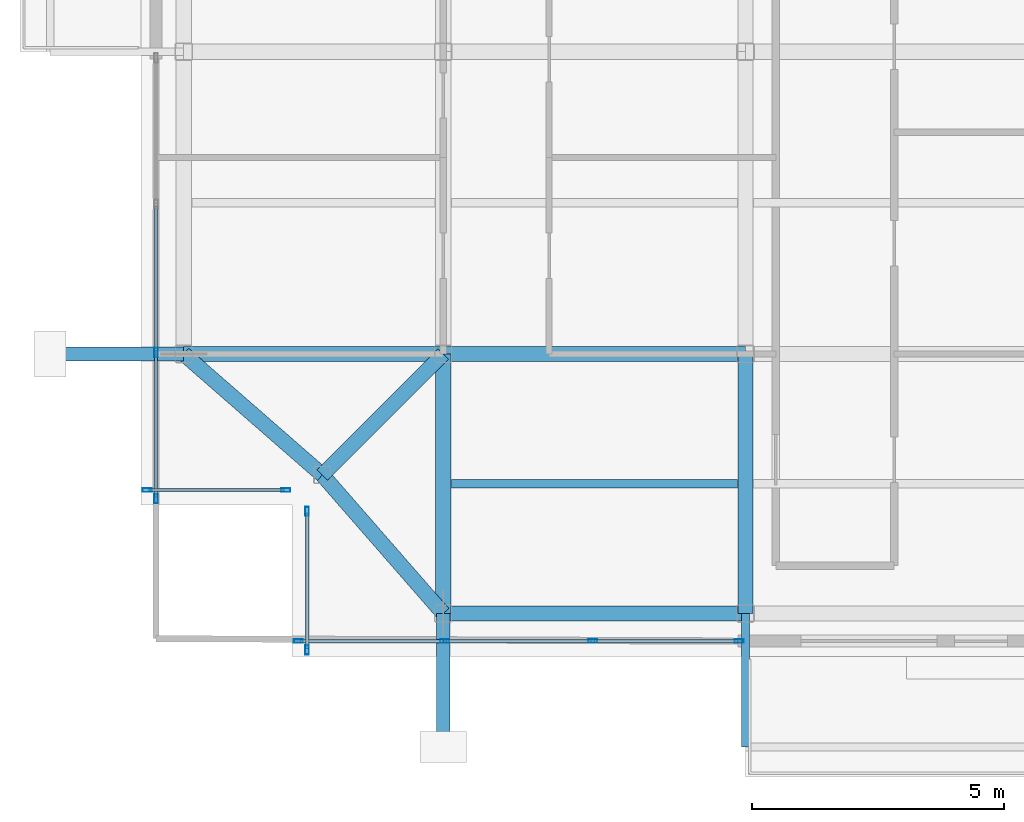
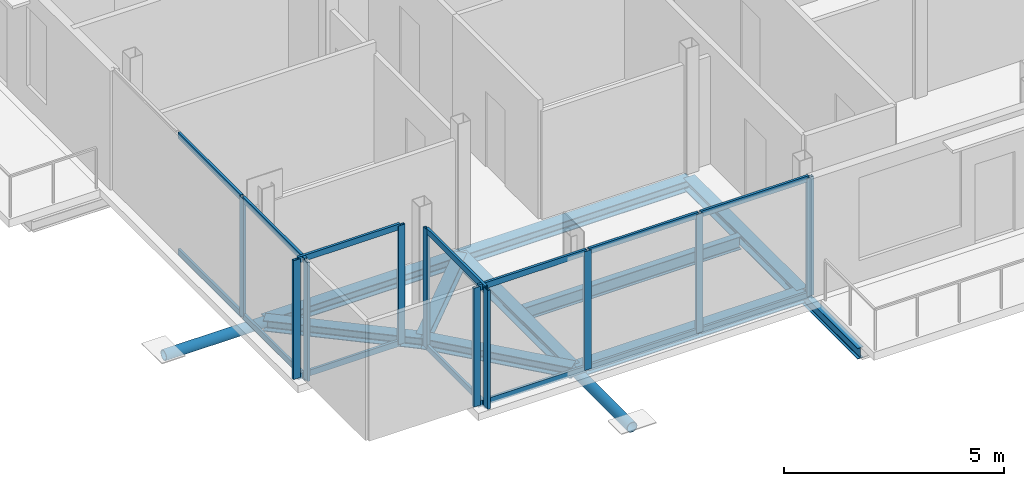
# One storey, part 2 of 18: 26 members, 10 beams, 4 elements without a shape of their own.
"""IFC4 building model written with IfcOpenShell, lengths in metres."""

from ifc_helpers import new_model, si_unit, direction, frame, origin, origin_2d, place, context, subcontext, project, spatial, hollow_rectangle, hollow_circle, i_section, extrude, material, layer, layer_set, material_profile, profile_set, type_object, element, aggregate, save


model = new_model("IFC4")

# Units and contexts
model_context = context("Model", 3, precision=1e-05, world=origin(), true_north=direction((0.0, 1.0)))
body_context = subcontext(model_context, "Body", "Model", "MODEL_VIEW")
ifc_project = project(units=[si_unit("LENGTHUNIT", "METRE"), si_unit("AREAUNIT", "SQUARE_METRE"), si_unit("VOLUMEUNIT", "CUBIC_METRE"), si_unit("PLANEANGLEUNIT", "RADIAN"), si_unit("MASSUNIT", "GRAM", prefix="KILO"), si_unit("THERMODYNAMICTEMPERATUREUNIT", "KELVIN"), si_unit("POWERUNIT", "WATT")], contexts=[model_context])

# Site, building, storey
site_placement = place(None, origin())
site = spatial("IfcSite", under=ifc_project, at=site_placement, CompositionType="ELEMENT")
building_placement = place(site_placement, origin())
building = spatial("IfcBuilding", under=site, at=building_placement, Name="Svarakhadi Broadcast Tower", CompositionType="ELEMENT")
storey_placement = place(building_placement, frame((0.0, 0.0, 264.199951171875)))
storey = spatial("IfcBuildingStorey", under=building, at=storey_placement, Name="L66", CompositionType="ELEMENT", Elevation=264.199951171875)

# Beam
ifc_material_1 = material(Name="Steel S355J2 (IS 2062 E350C)", Category="steel")
ifc_material_profile_1 = material_profile(ifc_material_1, i_section(OverallWidth=0.169921875, OverallDepth=0.360107421875, WebThickness=0.008056640625, FlangeThickness=0.0126953125, FilletRadius=0.01806640625, at=origin_2d()), Name="NPB 360x170x57")
ifc_profile_set_1 = profile_set([ifc_material_profile_1], Name="Steel S355J2 (IS 2062 E350C)")
beam_type_1 = type_object("IfcBeamType", Name="Beam_NPB360", PredefinedType="BEAM", material=ifc_profile_set_1)
beam_1_placement = place(storey_placement, frame((6.159912109375, 3.425048828125, -0.3798828125), z_axis=(1.0, 0.0, 0.0), x_axis=(0.0, 1.0, 0.0)))
element("IfcBeam", 1, at=beam_1_placement, inside=storey, type_object=beam_type_1, Name="L66 Secondary Composite Beam SB004", PredefinedType="BEAM", context=body_context, shape_type="SweptSolid", body=[
    extrude(i_section(OverallWidth=0.169921875, OverallDepth=0.360107421875, WebThickness=0.008056640625, FlangeThickness=0.0126953125, FilletRadius=0.01806640625, at=origin_2d()), origin(), (0.0, 0.0, 1.0), 5.68017578125),
])

# Curtain wall, members
ifc_material_2 = material(Name="Anodised Bronze Aluminium AA 6063-T6", Category="aluminium")
ifc_layer = layer(ifc_material_2, 0.179931640625)
ifc_layer_set = layer_set([ifc_layer], Name="Anodised Bronze Aluminium AA 6063-T6")
curtain_wall_type = type_object("IfcCurtainWallType", Name="CW_Sys_05", PredefinedType="NOTDEFINED", material=ifc_layer_set)
curtain_wall_1_placement = place(storey_placement, origin())
curtain_wall_1 = element("IfcCurtainWall", 2, at=curtain_wall_1_placement, inside=storey, type_object=curtain_wall_type, Name="L66 Unitised Facade Curtain Wall 01", PredefinedType="NOTDEFINED")
ifc_material_profile_2 = material_profile(ifc_material_2, hollow_rectangle(XDim=0.070068359375, YDim=0.179931640625, WallThickness=0.005615234375, at=origin_2d()), Name="ALU MULLION 180x70x6")
ifc_profile_set_2 = profile_set([ifc_material_profile_2], Name="Anodised Bronze Aluminium AA 6063-T6")
member_type_1 = type_object("IfcMemberType", Name="CW_Sys_05_Mul", PredefinedType="MULLION", material=ifc_profile_set_2)
member_1_placement = place(storey_placement, frame((2.875, 3.300048828125, 0.0), z_axis=(0.0, 0.0, 1.0), x_axis=(0.0, -1.0, 0.0)))
member_1 = element("IfcMember", 3, at=member_1_placement, type_object=member_type_1, Name="CW-05 mullion 1", PredefinedType="MULLION", context=body_context, shape_type="SweptSolid", body=[
    extrude(hollow_rectangle(XDim=0.070068359375, YDim=0.179931640625, WallThickness=0.005615234375, at=origin_2d()), origin(), (0.0, 0.0, 1.0), 3.300048828125),
])
member_2_placement = place(storey_placement, frame((0.125, 3.300048828125, 0.0), z_axis=(0.0, 0.0, 1.0), x_axis=(0.0, -1.0, 0.0)))
member_2 = element("IfcMember", 4, at=member_2_placement, type_object=member_type_1, Name="CW-05 mullion 2", PredefinedType="MULLION", context=body_context, shape_type="SweptSolid", body=[
    extrude(hollow_rectangle(XDim=0.070068359375, YDim=0.179931640625, WallThickness=0.005615234375, at=origin_2d()), origin(), (0.0, 0.0, 1.0), 3.300048828125),
])

curtain_wall_2_placement = place(storey_placement, origin())
curtain_wall_2 = element("IfcCurtainWall", 5, at=curtain_wall_2_placement, inside=storey, type_object=curtain_wall_type, Name="L66 West Curtain Wall 02", PredefinedType="NOTDEFINED")
member_3_placement = place(storey_placement, frame((0.300048828125, 3.125, 0.0), z_axis=(0.0, 0.0, 1.0), x_axis=(-1.0, 0.0, 0.0)))
member_3 = element("IfcMember", 6, at=member_3_placement, type_object=member_type_1, Name="CW-05 mullion 1", PredefinedType="MULLION", context=body_context, shape_type="SweptSolid", body=[
    extrude(hollow_rectangle(XDim=0.070068359375, YDim=0.179931640625, WallThickness=0.005615234375, at=origin_2d()), origin(), (0.0, 0.0, 1.0), 3.300048828125),
])
member_4_placement = place(storey_placement, frame((0.300048828125, 6.030029296875, 0.0), z_axis=(0.0, 0.0, 1.0), x_axis=(-1.0, 0.0, 0.0)))
member_4 = element("IfcMember", 7, at=member_4_placement, type_object=member_type_1, Name="CW-05 mullion 2", PredefinedType="MULLION", context=body_context, shape_type="SweptSolid", body=[
    extrude(hollow_rectangle(XDim=0.070068359375, YDim=0.179931640625, WallThickness=0.005615234375, at=origin_2d()), origin(), (0.0, 0.0, 1.0), 3.300048828125),
])

curtain_wall_3_placement = place(storey_placement, origin())
curtain_wall_3 = element("IfcCurtainWall", 8, at=curtain_wall_3_placement, inside=storey, type_object=curtain_wall_type, Name="L66 South Curtain Wall 17", PredefinedType="NOTDEFINED")
member_5_placement = place(storey_placement, frame((11.875, 0.300048828125, 0.0), z_axis=(0.0, 0.0, 1.0), x_axis=(0.0, -1.0, 0.0)))
member_5 = element("IfcMember", 9, at=member_5_placement, type_object=member_type_1, Name="CW-05 mullion 1", PredefinedType="MULLION", context=body_context, shape_type="SweptSolid", body=[
    extrude(hollow_rectangle(XDim=0.070068359375, YDim=0.179931640625, WallThickness=0.005615234375, at=origin_2d()), origin(), (0.0, 0.0, 1.0), 3.300048828125),
])
member_6_placement = place(storey_placement, frame((8.969970703125, 0.300048828125, 0.0), z_axis=(0.0, 0.0, 1.0), x_axis=(0.0, -1.0, 0.0)))
member_6 = element("IfcMember", 10, at=member_6_placement, type_object=member_type_1, Name="CW-05 mullion 2", PredefinedType="MULLION", context=body_context, shape_type="SweptSolid", body=[
    extrude(hollow_rectangle(XDim=0.070068359375, YDim=0.179931640625, WallThickness=0.005615234375, at=origin_2d()), origin(), (0.0, 0.0, 1.0), 3.300048828125),
])
member_7_placement = place(storey_placement, frame((6.030029296875, 0.300048828125, 0.0), z_axis=(0.0, 0.0, 1.0), x_axis=(0.0, -1.0, 0.0)))
member_7 = element("IfcMember", 11, at=member_7_placement, type_object=member_type_1, Name="CW-05 mullion 3", PredefinedType="MULLION", context=body_context, shape_type="SweptSolid", body=[
    extrude(hollow_rectangle(XDim=0.070068359375, YDim=0.179931640625, WallThickness=0.005615234375, at=origin_2d()), origin(), (0.0, 0.0, 1.0), 3.300048828125),
])
member_8_placement = place(storey_placement, frame((3.125, 0.300048828125, 0.0), z_axis=(0.0, 0.0, 1.0), x_axis=(0.0, -1.0, 0.0)))
member_8 = element("IfcMember", 12, at=member_8_placement, type_object=member_type_1, Name="CW-05 mullion 4", PredefinedType="MULLION", context=body_context, shape_type="SweptSolid", body=[
    extrude(hollow_rectangle(XDim=0.070068359375, YDim=0.179931640625, WallThickness=0.005615234375, at=origin_2d()), origin(), (0.0, 0.0, 1.0), 3.300048828125),
])

curtain_wall_4_placement = place(storey_placement, origin())
curtain_wall_4 = element("IfcCurtainWall", 13, at=curtain_wall_4_placement, inside=storey, type_object=curtain_wall_type, Name="L66 Unitised Facade Curtain Wall 18", PredefinedType="NOTDEFINED")
member_9_placement = place(storey_placement, frame((3.300048828125, 0.125, 0.0), z_axis=(0.0, 0.0, 1.0), x_axis=(-1.0, 0.0, 0.0)))
member_9 = element("IfcMember", 14, at=member_9_placement, type_object=member_type_1, Name="CW-05 mullion 1", PredefinedType="MULLION", context=body_context, shape_type="SweptSolid", body=[
    extrude(hollow_rectangle(XDim=0.070068359375, YDim=0.179931640625, WallThickness=0.005615234375, at=origin_2d()), origin(), (0.0, 0.0, 1.0), 3.300048828125),
])
member_10_placement = place(storey_placement, frame((3.300048828125, 2.875, 0.0), z_axis=(0.0, 0.0, 1.0), x_axis=(-1.0, 0.0, 0.0)))
member_10 = element("IfcMember", 15, at=member_10_placement, type_object=member_type_1, Name="CW-05 mullion 2", PredefinedType="MULLION", context=body_context, shape_type="SweptSolid", body=[
    extrude(hollow_rectangle(XDim=0.070068359375, YDim=0.179931640625, WallThickness=0.005615234375, at=origin_2d()), origin(), (0.0, 0.0, 1.0), 3.300048828125),
])

# Member
ifc_material_profile_3 = material_profile(ifc_material_2, hollow_rectangle(XDim=0.06494140625, YDim=0.1650390625, WallThickness=0.0048828125, at=origin_2d()), Name="ALU TRANSOM 165x65x5")
ifc_profile_set_3 = profile_set([ifc_material_profile_3], Name="Anodised Bronze Aluminium AA 6063-T6")
member_type_2 = type_object("IfcMemberType", Name="CW_Sys_05_Trn", PredefinedType="USERDEFINED", material=ifc_profile_set_3)
member_11_placement = place(storey_placement, frame((2.840087890625, 3.300048828125, 0.032470703125), z_axis=(-1.0, 0.0, 0.0), x_axis=(0.0, -1.0, 0.0)))
member_11 = element("IfcMember", 16, at=member_11_placement, type_object=member_type_2, Name="CW-05 transom 1.1", ObjectType="TRANSOM", PredefinedType="USERDEFINED", context=body_context, shape_type="SweptSolid", body=[
    extrude(hollow_rectangle(XDim=0.06494140625, YDim=0.1650390625, WallThickness=0.0048828125, at=origin_2d()), origin(), (0.0, 0.0, 1.0), 2.68017578125),
])

member_12_placement = place(storey_placement, frame((2.840087890625, 3.300048828125, 3.267578125), z_axis=(-1.0, 0.0, 0.0), x_axis=(0.0, -1.0, 0.0)))
member_12 = element("IfcMember", 17, at=member_12_placement, type_object=member_type_2, Name="CW-05 transom 1.2", ObjectType="TRANSOM", PredefinedType="USERDEFINED", context=body_context, shape_type="SweptSolid", body=[
    extrude(hollow_rectangle(XDim=0.06494140625, YDim=0.1650390625, WallThickness=0.0048828125, at=origin_2d()), origin(), (0.0, 0.0, 1.0), 2.68017578125),
])

aggregate(curtain_wall_1, [member_1, member_2, member_11, member_12])

member_13_placement = place(storey_placement, frame((0.300048828125, 3.159912109375, 0.032470703125), z_axis=(0.0, 1.0, 0.0), x_axis=(-1.0, 0.0, 0.0)))
member_13 = element("IfcMember", 18, at=member_13_placement, type_object=member_type_2, Name="CW-05 transom 1.1", ObjectType="TRANSOM", PredefinedType="USERDEFINED", context=body_context, shape_type="SweptSolid", body=[
    extrude(hollow_rectangle(XDim=0.06494140625, YDim=0.1650390625, WallThickness=0.0048828125, at=origin_2d()), origin(), (0.0, 0.0, 1.0), 2.835205078125),
])

member_14_placement = place(storey_placement, frame((0.300048828125, 3.159912109375, 3.267578125), z_axis=(0.0, 1.0, 0.0), x_axis=(-1.0, 0.0, 0.0)))
member_14 = element("IfcMember", 19, at=member_14_placement, type_object=member_type_2, Name="CW-05 transom 1.2", ObjectType="TRANSOM", PredefinedType="USERDEFINED", context=body_context, shape_type="SweptSolid", body=[
    extrude(hollow_rectangle(XDim=0.06494140625, YDim=0.1650390625, WallThickness=0.0048828125, at=origin_2d()), origin(), (0.0, 0.0, 1.0), 2.835205078125),
])

member_15_placement = place(storey_placement, frame((0.300048828125, 6.06494140625, 0.032470703125), z_axis=(0.0, 1.0, 0.0), x_axis=(-1.0, 0.0, 0.0)))
member_15 = element("IfcMember", 20, at=member_15_placement, type_object=member_type_2, Name="CW-05 transom 2.1", ObjectType="TRANSOM", PredefinedType="USERDEFINED", context=body_context, shape_type="SweptSolid", body=[
    extrude(hollow_rectangle(XDim=0.06494140625, YDim=0.1650390625, WallThickness=0.0048828125, at=origin_2d()), origin(), (0.0, 0.0, 1.0), 2.8701171875),
])

member_16_placement = place(storey_placement, frame((0.300048828125, 6.06494140625, 3.267578125), z_axis=(0.0, 1.0, 0.0), x_axis=(-1.0, 0.0, 0.0)))
member_16 = element("IfcMember", 21, at=member_16_placement, type_object=member_type_2, Name="CW-05 transom 2.2", ObjectType="TRANSOM", PredefinedType="USERDEFINED", context=body_context, shape_type="SweptSolid", body=[
    extrude(hollow_rectangle(XDim=0.06494140625, YDim=0.1650390625, WallThickness=0.0048828125, at=origin_2d()), origin(), (0.0, 0.0, 1.0), 2.8701171875),
])

aggregate(curtain_wall_2, [member_3, member_4, member_13, member_14, member_15, member_16])

member_17_placement = place(storey_placement, frame((11.840087890625, 0.300048828125, 0.032470703125), z_axis=(-1.0, 0.0, 0.0), x_axis=(0.0, -1.0, 0.0)))
member_17 = element("IfcMember", 22, at=member_17_placement, type_object=member_type_2, Name="CW-05 transom 1.1", ObjectType="TRANSOM", PredefinedType="USERDEFINED", context=body_context, shape_type="SweptSolid", body=[
    extrude(hollow_rectangle(XDim=0.06494140625, YDim=0.1650390625, WallThickness=0.0048828125, at=origin_2d()), origin(), (0.0, 0.0, 1.0), 2.835205078125),
])

member_18_placement = place(storey_placement, frame((11.840087890625, 0.300048828125, 3.267578125), z_axis=(-1.0, 0.0, 0.0), x_axis=(0.0, -1.0, 0.0)))
member_18 = element("IfcMember", 23, at=member_18_placement, type_object=member_type_2, Name="CW-05 transom 1.2", ObjectType="TRANSOM", PredefinedType="USERDEFINED", context=body_context, shape_type="SweptSolid", body=[
    extrude(hollow_rectangle(XDim=0.06494140625, YDim=0.1650390625, WallThickness=0.0048828125, at=origin_2d()), origin(), (0.0, 0.0, 1.0), 2.835205078125),
])

member_19_placement = place(storey_placement, frame((8.93505859375, 0.300048828125, 0.032470703125), z_axis=(-1.0, 0.0, 0.0), x_axis=(0.0, -1.0, 0.0)))
member_19 = element("IfcMember", 24, at=member_19_placement, type_object=member_type_2, Name="CW-05 transom 2.1", ObjectType="TRANSOM", PredefinedType="USERDEFINED", context=body_context, shape_type="SweptSolid", body=[
    extrude(hollow_rectangle(XDim=0.06494140625, YDim=0.1650390625, WallThickness=0.0048828125, at=origin_2d()), origin(), (0.0, 0.0, 1.0), 2.8701171875),
])

member_20_placement = place(storey_placement, frame((8.93505859375, 0.300048828125, 3.267578125), z_axis=(-1.0, 0.0, 0.0), x_axis=(0.0, -1.0, 0.0)))
member_20 = element("IfcMember", 25, at=member_20_placement, type_object=member_type_2, Name="CW-05 transom 2.2", ObjectType="TRANSOM", PredefinedType="USERDEFINED", context=body_context, shape_type="SweptSolid", body=[
    extrude(hollow_rectangle(XDim=0.06494140625, YDim=0.1650390625, WallThickness=0.0048828125, at=origin_2d()), origin(), (0.0, 0.0, 1.0), 2.8701171875),
])

member_21_placement = place(storey_placement, frame((5.9951171875, 0.300048828125, 0.032470703125), z_axis=(-1.0, 0.0, 0.0), x_axis=(0.0, -1.0, 0.0)))
member_21 = element("IfcMember", 26, at=member_21_placement, type_object=member_type_2, Name="CW-05 transom 3.1", ObjectType="TRANSOM", PredefinedType="USERDEFINED", context=body_context, shape_type="SweptSolid", body=[
    extrude(hollow_rectangle(XDim=0.06494140625, YDim=0.1650390625, WallThickness=0.0048828125, at=origin_2d()), origin(), (0.0, 0.0, 1.0), 2.835205078125),
])

member_22_placement = place(storey_placement, frame((5.9951171875, 0.300048828125, 3.267578125), z_axis=(-1.0, 0.0, 0.0), x_axis=(0.0, -1.0, 0.0)))
member_22 = element("IfcMember", 27, at=member_22_placement, type_object=member_type_2, Name="CW-05 transom 3.2", ObjectType="TRANSOM", PredefinedType="USERDEFINED", context=body_context, shape_type="SweptSolid", body=[
    extrude(hollow_rectangle(XDim=0.06494140625, YDim=0.1650390625, WallThickness=0.0048828125, at=origin_2d()), origin(), (0.0, 0.0, 1.0), 2.835205078125),
])

aggregate(curtain_wall_3, [member_5, member_6, member_7, member_8, member_17, member_18, member_19, member_20, member_21, member_22])

member_23_placement = place(storey_placement, frame((3.300048828125, 0.159912109375, 0.032470703125), z_axis=(0.0, 1.0, 0.0), x_axis=(-1.0, 0.0, 0.0)))
member_23 = element("IfcMember", 28, at=member_23_placement, type_object=member_type_2, Name="CW-05 transom 1.1", ObjectType="TRANSOM", PredefinedType="USERDEFINED", context=body_context, shape_type="SweptSolid", body=[
    extrude(hollow_rectangle(XDim=0.06494140625, YDim=0.1650390625, WallThickness=0.0048828125, at=origin_2d()), origin(), (0.0, 0.0, 1.0), 2.68017578125),
])

member_24_placement = place(storey_placement, frame((3.300048828125, 0.159912109375, 3.267578125), z_axis=(0.0, 1.0, 0.0), x_axis=(-1.0, 0.0, 0.0)))
member_24 = element("IfcMember", 29, at=member_24_placement, type_object=member_type_2, Name="CW-05 transom 1.2", ObjectType="TRANSOM", PredefinedType="USERDEFINED", context=body_context, shape_type="SweptSolid", body=[
    extrude(hollow_rectangle(XDim=0.06494140625, YDim=0.1650390625, WallThickness=0.0048828125, at=origin_2d()), origin(), (0.0, 0.0, 1.0), 2.68017578125),
])

aggregate(curtain_wall_4, [member_9, member_10, member_23, member_24])

# Members
ifc_material_3 = material(Name="Steel S460ML (IS 2062 E450BR)", Category="steel")
ifc_material_profile_4 = material_profile(ifc_material_3, hollow_circle(Radius=0.136474609375, WallThickness=0.012451171875, at=origin_2d()), Name="CHS 273x12.5")
ifc_profile_set_4 = profile_set([ifc_material_profile_4], Name="Steel S460ML (IS 2062 E450BR)")
member_type_3 = type_object("IfcMemberType", Name="Exo_Radial_Strut_Z3", PredefinedType="STRUT", material=ifc_profile_set_4)
for number, where, z_axis, x_axis, name in (
    (30, (6.0, -1.800048828125, -0.33642578125), (0.0, 1.0, 0.0), (-1.0, 0.0, 0.0), "L66 Exoskeleton Radial Tie Strut S01"),
    (31, (-1.800048828125, 6.0, -0.33642578125), (1.0, 0.0, 0.0), (0.0, 1.0, 0.0), "L66 Exoskeleton Radial Tie Strut W04"),
):
    element("IfcMember", number, at=place(storey_placement, frame(where, z_axis=z_axis, x_axis=x_axis)), inside=storey, type_object=member_type_3, Name=name, PredefinedType="STRUT", context=body_context, shape_type="SweptSolid", body=[
        extrude(hollow_circle(Radius=0.136474609375, WallThickness=0.012451171875, at=origin_2d()), origin(), (0.0, 0.0, 1.0), 2.650146484375),
    ])

# Beams
ifc_material_profile_5 = material_profile(ifc_material_1, i_section(OverallWidth=0.300048828125, OverallDepth=0.300048828125, WebThickness=0.010986328125, FlangeThickness=0.01904296875, FilletRadius=0.027099609375, at=origin_2d()), Name="WPB 300x300x117")
ifc_profile_set_5 = profile_set([ifc_material_profile_5], Name="Steel S355J2 (IS 2062 E350C)")
beam_type_2 = type_object("IfcBeamType", Name="Girder_WPB300", PredefinedType="USERDEFINED", material=ifc_profile_set_5)
beam_2_placement = place(storey_placement, frame((3.60009765625, 3.60009765625, -0.349853515625), z_axis=(0.707106781187, 0.707106781187, 0.0), x_axis=(-0.707106781187, 0.707106781187, 0.0)))
element("IfcBeam", 32, at=beam_2_placement, inside=storey, type_object=beam_type_2, Name="L66 Corner Tie Girder G001", ObjectType="GIRDER", PredefinedType="USERDEFINED", context=body_context, shape_type="SweptSolid", body=[
    extrude(i_section(OverallWidth=0.300048828125, OverallDepth=0.300048828125, WebThickness=0.010986328125, FlangeThickness=0.01904296875, FilletRadius=0.027099609375, at=origin_2d()), origin(), (0.0, 0.0, 1.0), 3.39404296875),
])
for number, where, z_axis, x_axis, name in (
    (33, (3.60009765625, 3.60009765625, -0.349853515625), (-0.753437912176, 0.657519058655, 0.0), (-0.657519058655, -0.753437912176, 0.0), "L66 Corner Tie Girder G002"),
    (34, (3.60009765625, 3.60009765625, -0.349853515625), (0.657519058655, -0.753437912176, 0.0), (0.753437912176, 0.657519058655, 0.0), "L66 Corner Tie Girder G003"),
):
    element("IfcBeam", number, at=place(storey_placement, frame(where, z_axis=z_axis, x_axis=x_axis)), inside=storey, type_object=beam_type_2, Name=name, ObjectType="GIRDER", PredefinedType="USERDEFINED", context=body_context, shape_type="SweptSolid", body=[
        extrude(i_section(OverallWidth=0.300048828125, OverallDepth=0.300048828125, WebThickness=0.010986328125, FlangeThickness=0.01904296875, FilletRadius=0.027099609375, at=origin_2d()), origin(), (0.0, 0.0, 1.0), 3.64990234375),
    ])
beam_3_placement = place(storey_placement, frame((6.0, 0.85009765625, -0.349853515625), z_axis=(1.0, 0.0, 0.0), x_axis=(0.0, 1.0, 0.0)))
element("IfcBeam", 35, at=beam_3_placement, inside=storey, type_object=beam_type_2, Name="L66 Primary E-W Girder G004", ObjectType="GIRDER", PredefinedType="USERDEFINED", context=body_context, shape_type="SweptSolid", body=[
    extrude(i_section(OverallWidth=0.300048828125, OverallDepth=0.300048828125, WebThickness=0.010986328125, FlangeThickness=0.01904296875, FilletRadius=0.027099609375, at=origin_2d()), origin(), (0.0, 0.0, 1.0), 6.0),
])
beam_4_placement = place(storey_placement, frame((0.85009765625, 6.0, -0.349853515625), z_axis=(1.0, 0.0, 0.0), x_axis=(0.0, 1.0, 0.0)))
element("IfcBeam", 36, at=beam_4_placement, inside=storey, type_object=beam_type_2, Name="L66 Primary E-W Girder G008", ObjectType="GIRDER", PredefinedType="USERDEFINED", context=body_context, shape_type="SweptSolid", body=[
    extrude(i_section(OverallWidth=0.300048828125, OverallDepth=0.300048828125, WebThickness=0.010986328125, FlangeThickness=0.01904296875, FilletRadius=0.027099609375, at=origin_2d()), origin(), (0.0, 0.0, 1.0), 5.14990234375),
])
beam_5_placement = place(storey_placement, frame((6.0, 6.0, -0.349853515625), z_axis=(1.0, 0.0, 0.0), x_axis=(0.0, 1.0, 0.0)))
element("IfcBeam", 37, at=beam_5_placement, inside=storey, type_object=beam_type_2, Name="L66 Primary E-W Girder G009", ObjectType="GIRDER", PredefinedType="USERDEFINED", context=body_context, shape_type="SweptSolid", body=[
    extrude(i_section(OverallWidth=0.300048828125, OverallDepth=0.300048828125, WebThickness=0.010986328125, FlangeThickness=0.01904296875, FilletRadius=0.027099609375, at=origin_2d()), origin(), (0.0, 0.0, 1.0), 6.0),
])
for number, where, z_axis, x_axis, name in (
    (38, (6.0, 0.85009765625, -0.349853515625), (0.0, 1.0, 0.0), (-1.0, 0.0, 0.0), "L66 Primary N-S Girder G029"),
    (39, (12.0, 0.85009765625, -0.349853515625), (0.0, 1.0, 0.0), (-1.0, 0.0, 0.0), "L66 Primary N-S Girder G033"),
):
    element("IfcBeam", number, at=place(storey_placement, frame(where, z_axis=z_axis, x_axis=x_axis)), inside=storey, type_object=beam_type_2, Name=name, ObjectType="GIRDER", PredefinedType="USERDEFINED", context=body_context, shape_type="SweptSolid", body=[
        extrude(i_section(OverallWidth=0.300048828125, OverallDepth=0.300048828125, WebThickness=0.010986328125, FlangeThickness=0.01904296875, FilletRadius=0.027099609375, at=origin_2d()), origin(), (0.0, 0.0, 1.0), 5.14990234375),
    ])
ifc_material_profile_6 = material_profile(ifc_material_1, i_section(OverallWidth=0.14990234375, OverallDepth=0.300048828125, WebThickness=0.007080078125, FlangeThickness=0.0107421875, FilletRadius=0.014892578125, at=origin_2d()), Name="NPB 300x150x37")
ifc_profile_set_6 = profile_set([ifc_material_profile_6], Name="Steel S355J2 (IS 2062 E350C)")
beam_type_3 = type_object("IfcBeamType", Name="Spandrel_NPB300", PredefinedType="SPANDREL", material=ifc_profile_set_6)
beam_6_placement = place(storey_placement, frame((12.0, 0.85009765625, -0.375), z_axis=(0.0, -1.0, 0.0), x_axis=(1.0, 0.0, 0.0)))
element("IfcBeam", 40, at=beam_6_placement, inside=storey, type_object=beam_type_3, Name="L66 Balcony Cantilever Bracket 1A", PredefinedType="SPANDREL", context=body_context, shape_type="SweptSolid", body=[
    extrude(i_section(OverallWidth=0.14990234375, OverallDepth=0.300048828125, WebThickness=0.007080078125, FlangeThickness=0.0107421875, FilletRadius=0.014892578125, at=origin_2d()), origin(), (0.0, 0.0, 1.0), 2.650146484375),
])

save(model, "model.ifc")
